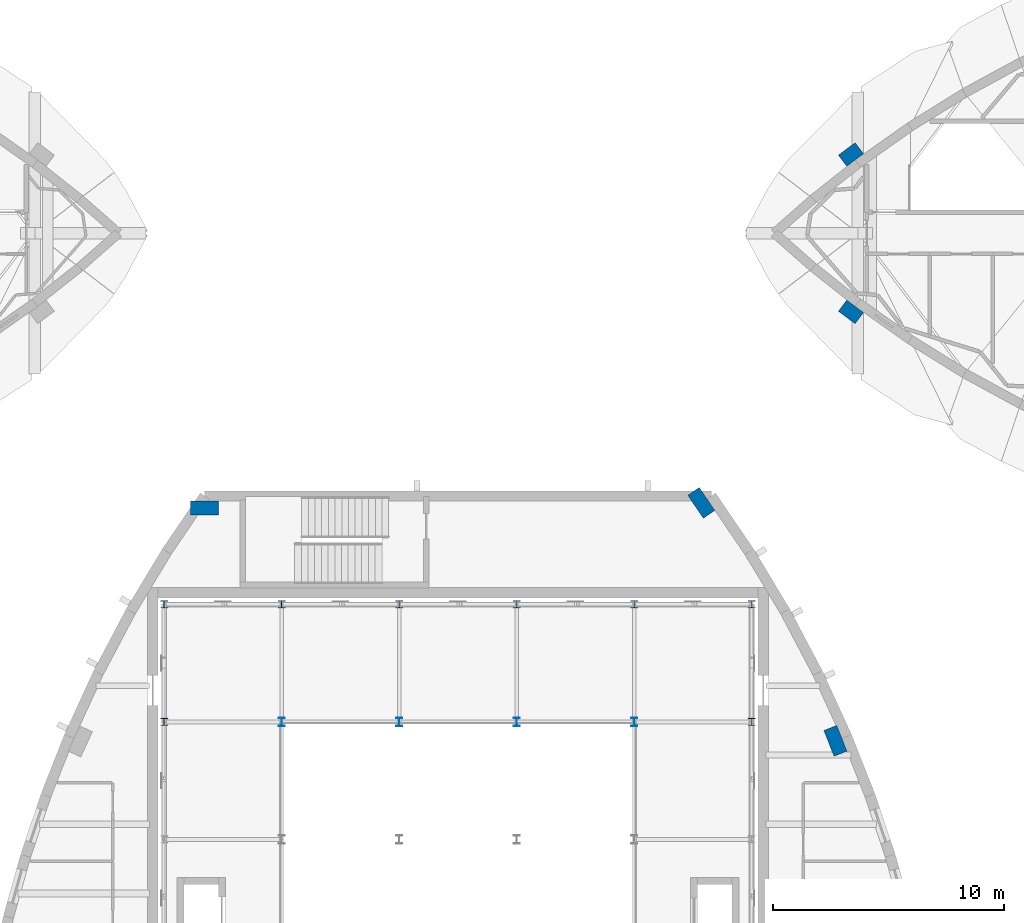
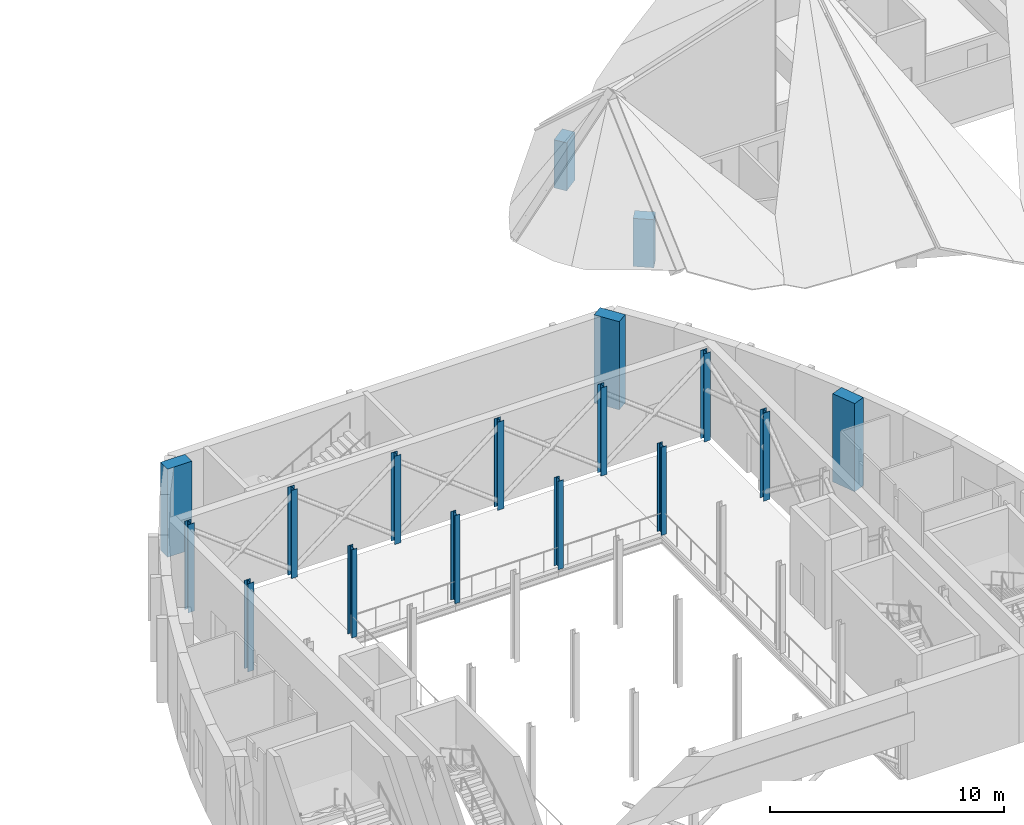
# One storey, part 4 of 56: 17 columns.
"""IFC4 building model written with IfcOpenShell, lengths in metres."""

import ifcopenshell
import ifcopenshell.guid

model = None  # the IFC model being written
_history = None  # IfcOwnerHistory: only IFC2X3 demands one
_inside = {}  # id of a spatial element -> (the spatial element, [elements in it])
_under = {}  # id of a project, library or spatial element -> (it, [spatial elements below it])
_declared = {}  # id of a project -> (the project, [libraries it declares])
_typed = {}  # id of a type object -> (the type object, [elements of that type])
_made_of = {}  # id of a material, layer set ... -> (it, [elements and type objects made of it])


def new_model(schema):
    """Start an empty IFC model of exactly this schema.

    Asked for "IFC4X3", IfcOpenShell would pick the latest addendum, in which some entities
    have other attributes; the version numbers below select the first issue.
    IFC2X3 requires an IfcOwnerHistory on every rooted entity: one is made here for all.
    """
    global model, _history
    if schema == "IFC4X3":
        model = ifcopenshell.file(schema_version=(4, 3, 0, 0))
    else:
        model = ifcopenshell.file(schema=schema)
    _inside.clear()
    _under.clear()
    _declared.clear()
    _typed.clear()
    _made_of.clear()
    _history = None
    if model.schema == "IFC2X3":
        org = make("IfcOrganization", Name="unknown")
        user = make(
            "IfcPersonAndOrganization",
            ThePerson=make("IfcPerson", FamilyName="unknown"),
            TheOrganization=org,
        )
        app = make(
            "IfcApplication",
            ApplicationDeveloper=org,
            Version="unknown",
            ApplicationFullName="unknown",
            ApplicationIdentifier="unknown",
        )
        _history = make(
            "IfcOwnerHistory",
            OwningUser=user,
            OwningApplication=app,
            ChangeAction="ADDED",
            CreationDate=0,
        )
    return model


def make(cls, **values):
    """One entity of the class cls with the attributes given. An attribute that is None is left unset."""
    return model.create_entity(
        cls, **{name: value for name, value in values.items() if value is not None}
    )


def rooted(cls, **values):
    """An entity with a GlobalId (a new one), such as an element, a storey or a relation."""
    return make(cls, GlobalId=ifcopenshell.guid.new(), OwnerHistory=_history, **values)


def si_unit(unit_type, name, prefix=None):
    """IfcSIUnit, for example si_unit("LENGTHUNIT", "METRE", prefix="MILLI")."""
    return make("IfcSIUnit", UnitType=unit_type, Prefix=prefix, Name=name)


def assignment(units):
    """IfcUnitAssignment: the units of a project."""
    return None if units is None else make("IfcUnitAssignment", Units=units)


def point(xyz):
    """IfcCartesianPoint."""
    return None if xyz is None else make("IfcCartesianPoint", Coordinates=xyz)


def direction(xyz):
    """IfcDirection."""
    return None if xyz is None else make("IfcDirection", DirectionRatios=xyz)


def frame(location, z_axis=None, x_axis=None):
    """IfcAxis2Placement3D, a coordinate frame: its origin and axes. An axis left out is left unset."""
    return make(
        "IfcAxis2Placement3D",
        Location=point(location),
        Axis=direction(z_axis),
        RefDirection=direction(x_axis),
    )


def frame_2d(location, x_axis=None):
    """IfcAxis2Placement2D, a coordinate frame in the plane: its origin and x axis."""
    return make(
        "IfcAxis2Placement2D", Location=point(location), RefDirection=direction(x_axis)
    )


def origin():
    """The frame at (0, 0, 0) with its axes left unset."""
    return frame((0.0, 0.0, 0.0))


def origin_2d():
    """The frame at (0, 0) in the plane with its x axis left unset."""
    return frame_2d((0.0, 0.0))


def place(relative_to, where):
    """IfcLocalPlacement: puts the frame where relative to a parent placement (None: the world)."""
    return make(
        "IfcLocalPlacement", PlacementRelTo=relative_to, RelativePlacement=where
    )


def context(
    kind, dimensions, precision=None, world=None, true_north=None, identifier=None
):
    """IfcGeometricRepresentationContext, for example the 3D "Model" context."""
    return make(
        "IfcGeometricRepresentationContext",
        ContextIdentifier=identifier,
        ContextType=kind,
        CoordinateSpaceDimension=dimensions,
        Precision=precision,
        WorldCoordinateSystem=world,
        TrueNorth=true_north,
    )


def subcontext(parent, identifier, kind, view, scale=None):
    """IfcGeometricRepresentationSubContext, for example "Body" below "Model"."""
    return make(
        "IfcGeometricRepresentationSubContext",
        ContextIdentifier=identifier,
        ContextType=kind,
        ParentContext=parent,
        TargetScale=scale,
        TargetView=view,
    )


def project(units=None, contexts=None):
    """IfcProject with its units and contexts."""
    return rooted(
        "IfcProject",
        Name="project",
        RepresentationContexts=contexts,
        UnitsInContext=assignment(units),
    )


def spatial(cls, under=None, at=None, **own):
    """A site, building, storey or space (cls), placed at a placement, below another one or the project."""
    s = rooted(cls, ObjectPlacement=at, **own)
    if under is not None:
        _under.setdefault(under.id(), (under, []))[1].append(s)
    return s


def profile(cls, at=None, kind="AREA", **sizes):
    """A parametric profile (cls). Its sizes go by their IFC names, for example OverallWidth=200.0."""
    return make(cls, ProfileType=kind, Position=at, **sizes)


def rectangle(**sizes):
    """IfcRectangleProfileDef."""
    return profile("IfcRectangleProfileDef", **sizes)


def i_section(**sizes):
    """IfcIShapeProfileDef."""
    return profile("IfcIShapeProfileDef", **sizes)


def extrude(swept, where, along, depth):
    """IfcExtrudedAreaSolid: the profile swept, set in the frame where, extruded along a direction by depth."""
    return make(
        "IfcExtrudedAreaSolid",
        SweptArea=swept,
        Position=where,
        ExtrudedDirection=direction(along),
        Depth=depth,
    )


def shape(context_of_items, identifier, shape_type, items):
    """IfcShapeRepresentation: the items that make up one representation, for example the "Body"."""
    return make(
        "IfcShapeRepresentation",
        ContextOfItems=context_of_items,
        RepresentationIdentifier=identifier,
        RepresentationType=shape_type,
        Items=items,
    )


def material(Name=None, Category=None):
    """IfcMaterial."""
    return make("IfcMaterial", Name=Name, Category=Category)


def material_profile(
    of_material, cross_section, Name=None, Category=None, Priority=None
):
    """IfcMaterialProfile: a cross section and its material."""
    return make(
        "IfcMaterialProfile",
        Name=Name,
        Material=of_material,
        Profile=cross_section,
        Priority=Priority,
        Category=Category,
    )


def profile_set(profiles, Name=None, composite=None):
    """IfcMaterialProfileSet."""
    return make(
        "IfcMaterialProfileSet",
        Name=Name,
        MaterialProfiles=profiles,
        CompositeProfile=composite,
    )


def made_of(thing, what):
    """Note that an element or type object is made of a material, layer set ...; save() writes the relation."""
    if what is not None:
        _made_of.setdefault(what.id(), (what, []))[1].append(thing)
    return thing


def type_object(cls, material=None, **own):
    """A type object (cls), such as IfcWallType, which elements share."""
    return made_of(rooted(cls, **own), material)


def element(
    cls,
    number,
    at=None,
    inside=None,
    cuts=None,
    type_object=None,
    material=None,
    context=None,
    identifier="Body",
    shape_type=None,
    held_by="IfcProductDefinitionShape",
    body=None,
    shapes=None,
    **own,
):
    """One element of the class cls, such as IfcWall. Its Tag is "e" and its number.

    at: its placement. inside: the storey or other place that contains it. cuts: it is an
    opening in that element (IfcRelVoidsElement). A single representation is given by context,
    identifier, shape_type and body (its items); several are given by shapes. held_by: the class
    of the entity that holds the representations. save() writes the other relations.
    """
    e = rooted(cls, Tag="e%d" % number, ObjectPlacement=at, **own)
    if body is not None:
        shapes = [shape(context, identifier, shape_type, body)]
    if shapes is not None:
        e.Representation = make(held_by, Representations=shapes)
    if inside is not None:
        _inside.setdefault(inside.id(), (inside, []))[1].append(e)
    if cuts is not None:
        rooted(
            "IfcRelVoidsElement", RelatingBuildingElement=cuts, RelatedOpeningElement=e
        )
    if type_object is not None:
        _typed.setdefault(type_object.id(), (type_object, []))[1].append(e)
    return made_of(e, material)


def aggregate(whole, parts):
    """IfcRelAggregates: a whole, such as a stair, and the parts it consists of."""
    return rooted("IfcRelAggregates", RelatingObject=whole, RelatedObjects=parts)


def save(model, path):
    """Write the relations noted so far, then the file.

    IfcRelAggregates (storeys below a building ...), IfcRelContainedInSpatialStructure (elements
    in a storey), IfcRelDefinesByType, IfcRelAssociatesMaterial and IfcRelDeclares: one each for
    every whole, place, type object, material and project.
    """
    for whole, parts in _under.values():
        aggregate(whole, parts)
    for where, things in _inside.values():
        rooted(
            "IfcRelContainedInSpatialStructure",
            RelatedElements=things,
            RelatingStructure=where,
        )
    for kind, things in _typed.values():
        rooted("IfcRelDefinesByType", RelatedObjects=things, RelatingType=kind)
    for what, things in _made_of.values():
        rooted("IfcRelAssociatesMaterial", RelatedObjects=things, RelatingMaterial=what)
    for by, libraries in _declared.values():
        rooted("IfcRelDeclares", RelatingContext=by, RelatedDefinitions=libraries)
    model.write(path)


model = new_model("IFC4")

# Units and contexts
model_context = context("Model", 3, precision=1e-05, world=origin(), true_north=direction((0.0, 1.0)))
body_context = subcontext(model_context, "Body", "Model", "MODEL_VIEW")
ifc_project = project(units=[si_unit("LENGTHUNIT", "METRE"), si_unit("AREAUNIT", "SQUARE_METRE"), si_unit("VOLUMEUNIT", "CUBIC_METRE"), si_unit("PLANEANGLEUNIT", "RADIAN"), si_unit("MASSUNIT", "GRAM", prefix="KILO")], contexts=[model_context])

# Site, building, storey
site_placement = place(None, origin())
site = spatial("IfcSite", under=ifc_project, at=site_placement, CompositionType="ELEMENT")
building_placement = place(site_placement, origin())
building = spatial("IfcBuilding", under=site, at=building_placement, Name="Tide Square Theatres", CompositionType="ELEMENT")
storey_placement = place(building_placement, frame((0.0, 0.0, 10.199951171875)))
storey = spatial("IfcBuildingStorey", under=building, at=storey_placement, Name="L02", CompositionType="ELEMENT", Elevation=10.199951171875)

# Columns
ifc_material_1 = material(Name="Concrete C40", Category="concrete")
ifc_material_profile_1 = material_profile(ifc_material_1, rectangle(XDim=1.199951171875, YDim=0.60009765625, at=origin_2d()))
ifc_profile_set_1 = profile_set([ifc_material_profile_1], Name="Concrete C40")
column_type_1 = type_object("IfcColumnType", Name="RC pier 1200 x 600", PredefinedType="PILASTER", material=ifc_profile_set_1)
for number, where, z_axis, x_axis, name in (
    (1, (100.348876953125, 75.814208984375, 0.0), (0.0, 0.0, 1.0), (-0.366955870742, 0.930238350601, 0.0), "Rib foot pier"),
    (2, (94.5400390625, 86.121826171875, 0.0), (0.0, 0.0, 1.0), (-0.562978035902, 0.82647185741, 0.0), "Rib foot pier"),
    (3, (73.02587890625, 85.892333984375, 0.0), (0.0, 0.0, 1.0), (-1.0, 0.0, 0.0), "Rib foot pier"),
):
    element("IfcColumn", number, at=place(storey_placement, frame(where, z_axis=z_axis, x_axis=x_axis)), inside=storey, type_object=column_type_1, Name=name, PredefinedType="PILASTER", context=body_context, shape_type="SweptSolid", body=[
        extrude(rectangle(XDim=1.199951171875, YDim=0.60009765625, at=origin_2d()), origin(), (0.0, 0.0, 1.0), 4.60009765625),
    ])
ifc_material_2 = material(Name="Concrete C40", Category="concrete")
ifc_material_profile_2 = material_profile(ifc_material_2, rectangle(XDim=0.89990234375, YDim=0.60009765625, at=origin_2d()))
ifc_profile_set_2 = profile_set([ifc_material_profile_2], Name="Concrete C40")
column_type_2 = type_object("IfcColumnType", Name="RC pier 900 x 600", PredefinedType="PILASTER", material=ifc_profile_set_2)
for number, where, z_axis, x_axis, name in (
    (4, (101.02099609375, 94.390625, 0.0), (0.0, 0.0, 1.0), (0.80192785119, -0.597420891403, 0.0), "Rehearsal Block rib pier 1"),
    (5, (101.02099609375, 101.20947265625, 0.0), (0.0, 0.0, 1.0), (-0.80192785119, -0.597420891403, 0.0), "Rehearsal Block rib pier 8"),
):
    element("IfcColumn", number, at=place(storey_placement, frame(where, z_axis=z_axis, x_axis=x_axis)), inside=storey, type_object=column_type_2, Name=name, PredefinedType="PILASTER", context=body_context, shape_type="SweptSolid", body=[
        extrude(rectangle(XDim=0.89990234375, YDim=0.60009765625, at=origin_2d()), origin(), (0.0, 0.0, 1.0), 2.507080078125),
    ])
ifc_material_3 = material(Name="Steel ASTM A572 Grade 50", Category="steel")
ifc_material_profile_3 = material_profile(ifc_material_3, i_section(OverallWidth=0.31201171875, OverallDepth=0.31201171875, WebThickness=0.017333984375, FlangeThickness=0.017333984375, FilletRadius=0.01611328125, at=origin_2d()))
ifc_profile_set_3 = profile_set([ifc_material_profile_3], Name="Steel ASTM A572 Grade 50")
column_type_3 = type_object("IfcColumnType", Name="Steel column HP 310 x 125.0", PredefinedType="COLUMN", material=ifc_profile_set_3)
for number, where, z_axis, x_axis, name in (
    (6, (71.27587890625, 76.634521484375, 0.0), (0.0, 0.0, 1.0), (1.0, 0.0, 0.0), "Fly tower column"),
    (7, (71.27587890625, 81.72412109375, 0.0), (0.0, 0.0, 1.0), (1.0, 0.0, 0.0), "Fly tower column"),
    (8, (76.365478515625, 81.72412109375, 0.0), (0.0, 0.0, 1.0), (1.0, 0.0, 0.0), "Fly tower column"),
    (9, (81.455078125, 81.72412109375, 0.0), (0.0, 0.0, 1.0), (1.0, 0.0, 0.0), "Fly tower column"),
    (10, (86.544921875, 81.72412109375, 0.0), (0.0, 0.0, 1.0), (1.0, 0.0, 0.0), "Fly tower column"),
    (11, (91.634521484375, 81.72412109375, 0.0), (0.0, 0.0, 1.0), (1.0, 0.0, 0.0), "Fly tower column"),
    (12, (96.72412109375, 76.634521484375, 0.0), (0.0, 0.0, 1.0), (1.0, 0.0, 0.0), "Fly tower column"),
    (13, (96.72412109375, 81.72412109375, 0.0), (0.0, 0.0, 1.0), (1.0, 0.0, 0.0), "Fly tower column"),
):
    element("IfcColumn", number, at=place(storey_placement, frame(where, z_axis=z_axis, x_axis=x_axis)), inside=storey, type_object=column_type_3, Name=name, PredefinedType="COLUMN", context=body_context, shape_type="SweptSolid", body=[
        extrude(i_section(OverallWidth=0.31201171875, OverallDepth=0.31201171875, WebThickness=0.017333984375, FlangeThickness=0.017333984375, FilletRadius=0.01611328125, at=origin_2d()), origin(), (0.0, 0.0, 1.0), 4.60009765625),
    ])
ifc_material_4 = material(Name="Steel ASTM A572 Grade 50", Category="steel")
ifc_material_profile_4 = material_profile(ifc_material_4, i_section(OverallWidth=0.257080078125, OverallDepth=0.363037109375, WebThickness=0.012939453125, FlangeThickness=0.021728515625, FilletRadius=0.01611328125, at=origin_2d()))
ifc_profile_set_4 = profile_set([ifc_material_profile_4], Name="Steel ASTM A572 Grade 50")
column_type_4 = type_object("IfcColumnType", Name="Steel column W 360 x 122.0", PredefinedType="COLUMN", material=ifc_profile_set_4)
for number, where, z_axis, x_axis, name in (
    (14, (76.365478515625, 76.634521484375, 0.0), (0.0, 0.0, 1.0), (1.0, 0.0, 0.0), "Fly tower column"),
    (15, (81.455078125, 76.634521484375, 0.0), (0.0, 0.0, 1.0), (1.0, 0.0, 0.0), "Fly tower column"),
    (16, (86.544921875, 76.634521484375, 0.0), (0.0, 0.0, 1.0), (1.0, 0.0, 0.0), "Fly tower column"),
    (17, (91.634521484375, 76.634521484375, 0.0), (0.0, 0.0, 1.0), (1.0, 0.0, 0.0), "Fly tower column"),
):
    element("IfcColumn", number, at=place(storey_placement, frame(where, z_axis=z_axis, x_axis=x_axis)), inside=storey, type_object=column_type_4, Name=name, PredefinedType="COLUMN", context=body_context, shape_type="SweptSolid", body=[
        extrude(i_section(OverallWidth=0.257080078125, OverallDepth=0.363037109375, WebThickness=0.012939453125, FlangeThickness=0.021728515625, FilletRadius=0.01611328125, at=origin_2d()), origin(), (0.0, 0.0, 1.0), 4.60009765625),
    ])

save(model, "model.ifc")
